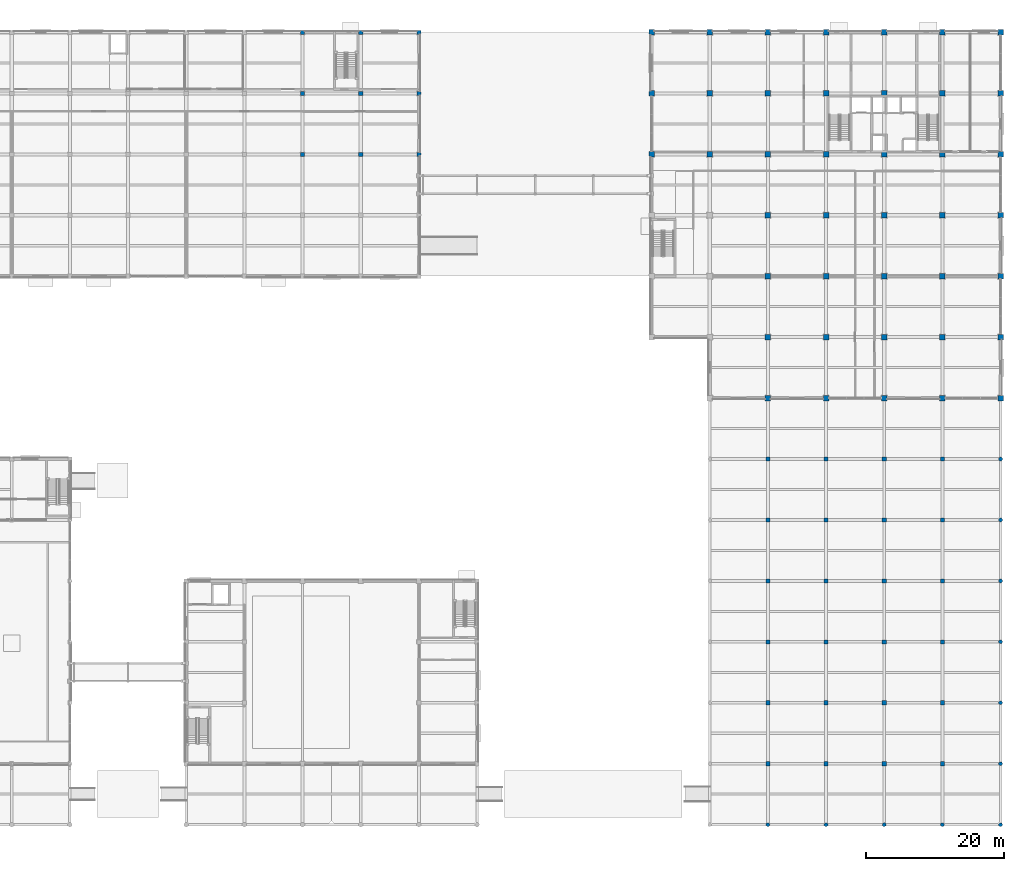
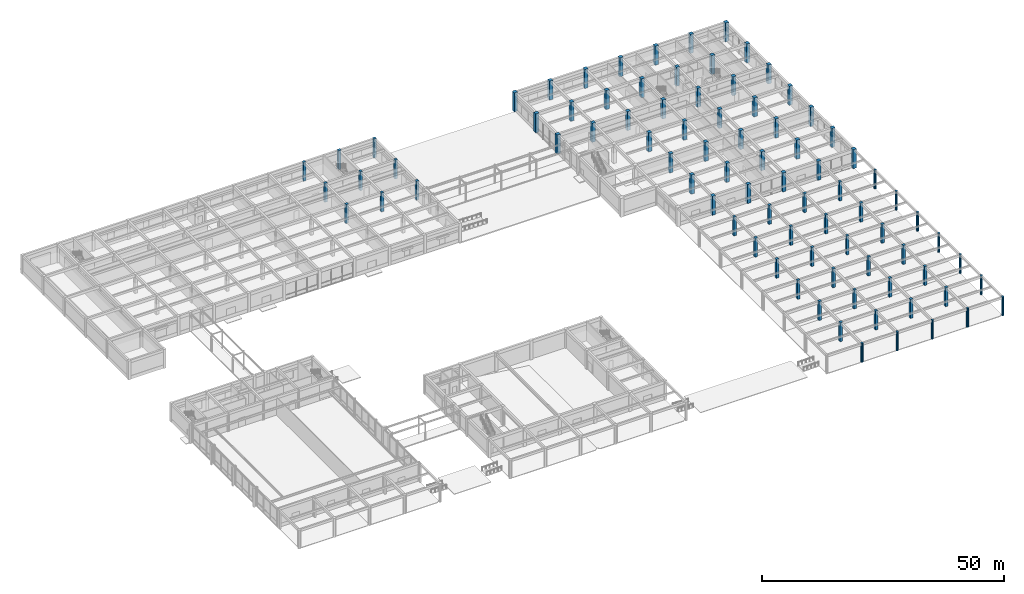
# One storey, part 10 of 58: 85 columns.
"""IFC4 building model written with IfcOpenShell, lengths in metres."""

from ifc_helpers import new_model, si_unit, direction, frame, origin, origin_2d, place, context, subcontext, project, spatial, rectangle, circle, extrude, material, material_profile, profile_set, type_object, element, save


model = new_model("IFC4")

# Units and contexts
model_context = context("Model", 3, precision=1e-05, world=origin(), true_north=direction((0.0, 1.0)))
body_context = subcontext(model_context, "Body", "Model", "MODEL_VIEW")
ifc_project = project(units=[si_unit("LENGTHUNIT", "METRE"), si_unit("AREAUNIT", "SQUARE_METRE"), si_unit("VOLUMEUNIT", "CUBIC_METRE"), si_unit("PLANEANGLEUNIT", "RADIAN"), si_unit("MASSUNIT", "GRAM", prefix="KILO")], contexts=[model_context])

# Site, building, storey
site_placement = place(None, origin())
site = spatial("IfcSite", under=ifc_project, at=site_placement, CompositionType="ELEMENT")
building_placement = place(site_placement, origin())
building = spatial("IfcBuilding", under=site, at=building_placement, Name="Kemercrest Conservatory and Botanical Centre", CompositionType="ELEMENT")
storey_placement = place(building_placement, origin())
storey = spatial("IfcBuildingStorey", under=building, at=storey_placement, Name="L00", CompositionType="ELEMENT", Elevation=0.0)

# Columns
ifc_material_1 = material(Name="Concrete C40/50", Category="concrete")
ifc_material_profile_1 = material_profile(ifc_material_1, rectangle(XDim=0.60009765625, YDim=0.60009765625, at=origin_2d()), Name="RC 600x600")
ifc_profile_set_1 = profile_set([ifc_material_profile_1], Name="Concrete C40/50")
column_type_1 = type_object("IfcColumnType", Name="C-RC60", PredefinedType="COLUMN", material=ifc_profile_set_1)
for number, where, z_axis, x_axis, name in (
    (1, (75.199951171875, 104.800048828125, 0.0), (0.0, 0.0, 1.0), (1.0, 0.0, 0.0), "Visitor Wing column 09/M"),
    (2, (75.199951171875, 113.60009765625, 0.0), (0.0, 0.0, 1.0), (1.0, 0.0, 0.0), "Visitor Wing column 09/N"),
    (3, (75.199951171875, 122.39990234375, 0.0), (0.0, 0.0, 1.0), (1.0, 0.0, 0.0), "Visitor Wing column 09/P"),
    (4, (83.60009765625, 104.800048828125, 0.0), (0.0, 0.0, 1.0), (1.0, 0.0, 0.0), "Visitor Wing column 10/M"),
    (5, (83.60009765625, 113.60009765625, 0.0), (0.0, 0.0, 1.0), (1.0, 0.0, 0.0), "Visitor Wing column 10/N"),
    (6, (83.60009765625, 122.39990234375, 0.0), (0.0, 0.0, 1.0), (1.0, 0.0, 0.0), "Visitor Wing column 10/P"),
    (7, (92.0, 104.800048828125, 0.0), (0.0, 0.0, 1.0), (1.0, 0.0, 0.0), "Visitor Wing column 11/M"),
    (8, (92.0, 113.60009765625, 0.0), (0.0, 0.0, 1.0), (1.0, 0.0, 0.0), "Visitor Wing column 11/N"),
    (9, (92.0, 122.39990234375, 0.0), (0.0, 0.0, 1.0), (1.0, 0.0, 0.0), "Visitor Wing column 11/P"),
    (10, (142.39990234375, 16.800048828125, 0.0), (0.0, 0.0, 1.0), (1.0, 0.0, 0.0), "South-east colonnade column 17/B"),
    (11, (142.39990234375, 25.60009765625, 0.0), (0.0, 0.0, 1.0), (1.0, 0.0, 0.0), "South-east colonnade column 17/C"),
    (12, (142.39990234375, 34.39990234375, 0.0), (0.0, 0.0, 1.0), (1.0, 0.0, 0.0), "South-east colonnade column 17/D"),
    (13, (142.39990234375, 43.199951171875, 0.0), (0.0, 0.0, 1.0), (1.0, 0.0, 0.0), "South-east colonnade column 17/E"),
    (14, (142.39990234375, 52.0, 0.0), (0.0, 0.0, 1.0), (1.0, 0.0, 0.0), "South-east colonnade column 17/F"),
    (15, (142.39990234375, 60.800048828125, 0.0), (0.0, 0.0, 1.0), (1.0, 0.0, 0.0), "South-east colonnade column 17/G"),
    (16, (150.800048828125, 16.800048828125, 0.0), (0.0, 0.0, 1.0), (1.0, 0.0, 0.0), "South-east colonnade column 18/B"),
    (17, (150.800048828125, 25.60009765625, 0.0), (0.0, 0.0, 1.0), (1.0, 0.0, 0.0), "South-east colonnade column 18/C"),
    (18, (150.800048828125, 34.39990234375, 0.0), (0.0, 0.0, 1.0), (1.0, 0.0, 0.0), "South-east colonnade column 18/D"),
    (19, (150.800048828125, 43.199951171875, 0.0), (0.0, 0.0, 1.0), (1.0, 0.0, 0.0), "South-east colonnade column 18/E"),
    (20, (150.800048828125, 52.0, 0.0), (0.0, 0.0, 1.0), (1.0, 0.0, 0.0), "South-east colonnade column 18/F"),
    (21, (150.800048828125, 60.800048828125, 0.0), (0.0, 0.0, 1.0), (1.0, 0.0, 0.0), "South-east colonnade column 18/G"),
    (22, (159.199951171875, 16.800048828125, 0.0), (0.0, 0.0, 1.0), (1.0, 0.0, 0.0), "South-east colonnade column 19/B"),
    (23, (159.199951171875, 25.60009765625, 0.0), (0.0, 0.0, 1.0), (1.0, 0.0, 0.0), "South-east colonnade column 19/C"),
    (24, (159.199951171875, 34.39990234375, 0.0), (0.0, 0.0, 1.0), (1.0, 0.0, 0.0), "South-east colonnade column 19/D"),
    (25, (159.199951171875, 43.199951171875, 0.0), (0.0, 0.0, 1.0), (1.0, 0.0, 0.0), "South-east colonnade column 19/E"),
    (26, (159.199951171875, 52.0, 0.0), (0.0, 0.0, 1.0), (1.0, 0.0, 0.0), "South-east colonnade column 19/F"),
    (27, (159.199951171875, 60.800048828125, 0.0), (0.0, 0.0, 1.0), (1.0, 0.0, 0.0), "South-east colonnade column 19/G"),
    (28, (167.60009765625, 16.800048828125, 0.0), (0.0, 0.0, 1.0), (1.0, 0.0, 0.0), "South-east colonnade column 20/B"),
    (29, (167.60009765625, 25.60009765625, 0.0), (0.0, 0.0, 1.0), (1.0, 0.0, 0.0), "South-east colonnade column 20/C"),
    (30, (167.60009765625, 34.39990234375, 0.0), (0.0, 0.0, 1.0), (1.0, 0.0, 0.0), "South-east colonnade column 20/D"),
    (31, (167.60009765625, 43.199951171875, 0.0), (0.0, 0.0, 1.0), (1.0, 0.0, 0.0), "South-east colonnade column 20/E"),
    (32, (167.60009765625, 52.0, 0.0), (0.0, 0.0, 1.0), (1.0, 0.0, 0.0), "South-east colonnade column 20/F"),
    (33, (167.60009765625, 60.800048828125, 0.0), (0.0, 0.0, 1.0), (1.0, 0.0, 0.0), "South-east colonnade column 20/G"),
):
    element("IfcColumn", number, at=place(storey_placement, frame(where, z_axis=z_axis, x_axis=x_axis)), inside=storey, type_object=column_type_1, Name=name, PredefinedType="COLUMN", context=body_context, shape_type="SweptSolid", body=[
        extrude(rectangle(XDim=0.60009765625, YDim=0.60009765625, at=origin_2d()), origin(), (0.0, 0.0, 1.0), 4.800048828125),
    ])
ifc_material_2 = material(Name="Concrete C50/60", Category="concrete")
ifc_material_profile_2 = material_profile(ifc_material_2, rectangle(XDim=0.800048828125, YDim=0.800048828125, at=origin_2d()), Name="RC 800x800")
ifc_profile_set_2 = profile_set([ifc_material_profile_2], Name="Concrete C50/60")
column_type_2 = type_object("IfcColumnType", Name="C-RC80", PredefinedType="COLUMN", material=ifc_profile_set_2)
for number, where, z_axis, x_axis, name in (
    (34, (125.60009765625, 104.800048828125, 0.0), (0.0, 0.0, 1.0), (1.0, 0.0, 0.0), "Tower column C-RC80 15/M"),
    (35, (125.60009765625, 113.60009765625, 0.0), (0.0, 0.0, 1.0), (1.0, 0.0, 0.0), "Tower column C-RC80 15/N"),
    (36, (125.60009765625, 122.39990234375, 0.0), (0.0, 0.0, 1.0), (1.0, 0.0, 0.0), "Tower column C-RC80 15/P"),
    (37, (134.0, 104.800048828125, 0.0), (0.0, 0.0, 1.0), (1.0, 0.0, 0.0), "Tower column C-RC80 16/M"),
    (38, (134.0, 113.60009765625, 0.0), (0.0, 0.0, 1.0), (1.0, 0.0, 0.0), "Tower column C-RC80 16/N"),
    (39, (134.0, 122.39990234375, 0.0), (0.0, 0.0, 1.0), (1.0, 0.0, 0.0), "Tower column C-RC80 16/P"),
    (40, (142.39990234375, 69.60009765625, 0.0), (0.0, 0.0, 1.0), (1.0, 0.0, 0.0), "Tower column C-RC80 17/H"),
    (41, (142.39990234375, 78.39990234375, 0.0), (0.0, 0.0, 1.0), (1.0, 0.0, 0.0), "Tower column C-RC80 17/J"),
    (42, (142.39990234375, 87.199951171875, 0.0), (0.0, 0.0, 1.0), (1.0, 0.0, 0.0), "Tower column C-RC80 17/K"),
    (43, (142.39990234375, 96.0, 0.0), (0.0, 0.0, 1.0), (1.0, 0.0, 0.0), "Tower column C-RC80 17/L"),
    (44, (142.39990234375, 104.800048828125, 0.0), (0.0, 0.0, 1.0), (1.0, 0.0, 0.0), "Tower column C-RC80 17/M"),
    (45, (142.39990234375, 113.60009765625, 0.0), (0.0, 0.0, 1.0), (1.0, 0.0, 0.0), "Tower column C-RC80 17/N"),
    (46, (142.39990234375, 122.39990234375, 0.0), (0.0, 0.0, 1.0), (1.0, 0.0, 0.0), "Tower column C-RC80 17/P"),
    (47, (150.800048828125, 69.60009765625, 0.0), (0.0, 0.0, 1.0), (1.0, 0.0, 0.0), "Tower column C-RC80 18/H"),
    (48, (150.800048828125, 78.39990234375, 0.0), (0.0, 0.0, 1.0), (1.0, 0.0, 0.0), "Tower column C-RC80 18/J"),
    (49, (150.800048828125, 87.199951171875, 0.0), (0.0, 0.0, 1.0), (1.0, 0.0, 0.0), "Tower column C-RC80 18/K"),
    (50, (150.800048828125, 96.0, 0.0), (0.0, 0.0, 1.0), (1.0, 0.0, 0.0), "Tower column C-RC80 18/L"),
    (51, (150.800048828125, 104.800048828125, 0.0), (0.0, 0.0, 1.0), (1.0, 0.0, 0.0), "Tower column C-RC80 18/M"),
    (52, (150.800048828125, 113.60009765625, 0.0), (0.0, 0.0, 1.0), (1.0, 0.0, 0.0), "Tower column C-RC80 18/N"),
    (53, (150.800048828125, 122.39990234375, 0.0), (0.0, 0.0, 1.0), (1.0, 0.0, 0.0), "Tower column C-RC80 18/P"),
    (54, (159.199951171875, 69.60009765625, 0.0), (0.0, 0.0, 1.0), (1.0, 0.0, 0.0), "Tower column C-RC80 19/H"),
    (55, (159.199951171875, 78.39990234375, 0.0), (0.0, 0.0, 1.0), (1.0, 0.0, 0.0), "Tower column C-RC80 19/J"),
    (56, (159.199951171875, 87.199951171875, 0.0), (0.0, 0.0, 1.0), (1.0, 0.0, 0.0), "Tower column C-RC80 19/K"),
    (57, (159.199951171875, 96.0, 0.0), (0.0, 0.0, 1.0), (1.0, 0.0, 0.0), "Tower column C-RC80 19/L"),
    (58, (159.199951171875, 104.800048828125, 0.0), (0.0, 0.0, 1.0), (1.0, 0.0, 0.0), "Tower column C-RC80 19/M"),
    (59, (159.199951171875, 113.60009765625, 0.0), (0.0, 0.0, 1.0), (1.0, 0.0, 0.0), "Tower column C-RC80 19/N"),
    (60, (159.199951171875, 122.39990234375, 0.0), (0.0, 0.0, 1.0), (1.0, 0.0, 0.0), "Tower column C-RC80 19/P"),
    (61, (167.60009765625, 69.60009765625, 0.0), (0.0, 0.0, 1.0), (1.0, 0.0, 0.0), "Tower column C-RC80 20/H"),
    (62, (167.60009765625, 78.39990234375, 0.0), (0.0, 0.0, 1.0), (1.0, 0.0, 0.0), "Tower column C-RC80 20/J"),
    (63, (167.60009765625, 87.199951171875, 0.0), (0.0, 0.0, 1.0), (1.0, 0.0, 0.0), "Tower column C-RC80 20/K"),
    (64, (167.60009765625, 96.0, 0.0), (0.0, 0.0, 1.0), (1.0, 0.0, 0.0), "Tower column C-RC80 20/L"),
    (65, (167.60009765625, 104.800048828125, 0.0), (0.0, 0.0, 1.0), (1.0, 0.0, 0.0), "Tower column C-RC80 20/M"),
    (66, (167.60009765625, 113.60009765625, 0.0), (0.0, 0.0, 1.0), (1.0, 0.0, 0.0), "Tower column C-RC80 20/N"),
    (67, (167.60009765625, 122.39990234375, 0.0), (0.0, 0.0, 1.0), (1.0, 0.0, 0.0), "Tower column C-RC80 20/P"),
    (68, (176.0, 69.60009765625, 0.0), (0.0, 0.0, 1.0), (1.0, 0.0, 0.0), "Tower column C-RC80 21/H"),
    (69, (176.0, 78.39990234375, 0.0), (0.0, 0.0, 1.0), (1.0, 0.0, 0.0), "Tower column C-RC80 21/J"),
    (70, (176.0, 87.199951171875, 0.0), (0.0, 0.0, 1.0), (1.0, 0.0, 0.0), "Tower column C-RC80 21/K"),
    (71, (176.0, 96.0, 0.0), (0.0, 0.0, 1.0), (1.0, 0.0, 0.0), "Tower column C-RC80 21/L"),
    (72, (176.0, 104.800048828125, 0.0), (0.0, 0.0, 1.0), (1.0, 0.0, 0.0), "Tower column C-RC80 21/M"),
    (73, (176.0, 113.60009765625, 0.0), (0.0, 0.0, 1.0), (1.0, 0.0, 0.0), "Tower column C-RC80 21/N"),
    (74, (176.0, 122.39990234375, 0.0), (0.0, 0.0, 1.0), (1.0, 0.0, 0.0), "Tower column C-RC80 21/P"),
):
    element("IfcColumn", number, at=place(storey_placement, frame(where, z_axis=z_axis, x_axis=x_axis)), inside=storey, type_object=column_type_2, Name=name, PredefinedType="COLUMN", context=body_context, shape_type="SweptSolid", body=[
        extrude(rectangle(XDim=0.800048828125, YDim=0.800048828125, at=origin_2d()), origin(), (0.0, 0.0, 1.0), 4.800048828125),
    ])
ifc_material_3 = material(Name="Precast concrete C40/50", Category="concrete")
ifc_material_profile_3 = material_profile(ifc_material_3, circle(Radius=0.27490234375, at=origin_2d()), Name="COLONNADE D550")
ifc_profile_set_3 = profile_set([ifc_material_profile_3], Name="Precast concrete C40/50")
column_type_3 = type_object("IfcColumnType", Name="CL-550", PredefinedType="COLUMN", material=ifc_profile_set_3)
for number, where, z_axis, x_axis, name in (
    (75, (142.39990234375, 8.0, 0.0), (0.0, 0.0, 1.0), (1.0, 0.0, 0.0), "South-east colonnade column 17/A"),
    (76, (150.800048828125, 8.0, 0.0), (0.0, 0.0, 1.0), (1.0, 0.0, 0.0), "South-east colonnade column 18/A"),
    (77, (159.199951171875, 8.0, 0.0), (0.0, 0.0, 1.0), (1.0, 0.0, 0.0), "South-east colonnade column 19/A"),
    (78, (167.60009765625, 8.0, 0.0), (0.0, 0.0, 1.0), (1.0, 0.0, 0.0), "South-east colonnade column 20/A"),
    (79, (176.0, 8.0, 0.0), (0.0, 0.0, 1.0), (1.0, 0.0, 0.0), "South-east colonnade column 21/A"),
    (80, (176.0, 16.800048828125, 0.0), (0.0, 0.0, 1.0), (1.0, 0.0, 0.0), "South-east colonnade column 21/B"),
    (81, (176.0, 25.60009765625, 0.0), (0.0, 0.0, 1.0), (1.0, 0.0, 0.0), "South-east colonnade column 21/C"),
    (82, (176.0, 34.39990234375, 0.0), (0.0, 0.0, 1.0), (1.0, 0.0, 0.0), "South-east colonnade column 21/D"),
    (83, (176.0, 43.199951171875, 0.0), (0.0, 0.0, 1.0), (1.0, 0.0, 0.0), "South-east colonnade column 21/E"),
    (84, (176.0, 52.0, 0.0), (0.0, 0.0, 1.0), (1.0, 0.0, 0.0), "South-east colonnade column 21/F"),
    (85, (176.0, 60.800048828125, 0.0), (0.0, 0.0, 1.0), (1.0, 0.0, 0.0), "South-east colonnade column 21/G"),
):
    element("IfcColumn", number, at=place(storey_placement, frame(where, z_axis=z_axis, x_axis=x_axis)), inside=storey, type_object=column_type_3, Name=name, PredefinedType="COLUMN", context=body_context, shape_type="SweptSolid", body=[
        extrude(circle(Radius=0.27490234375, at=origin_2d()), origin(), (0.0, 0.0, 1.0), 4.800048828125),
    ])

save(model, "model.ifc")
